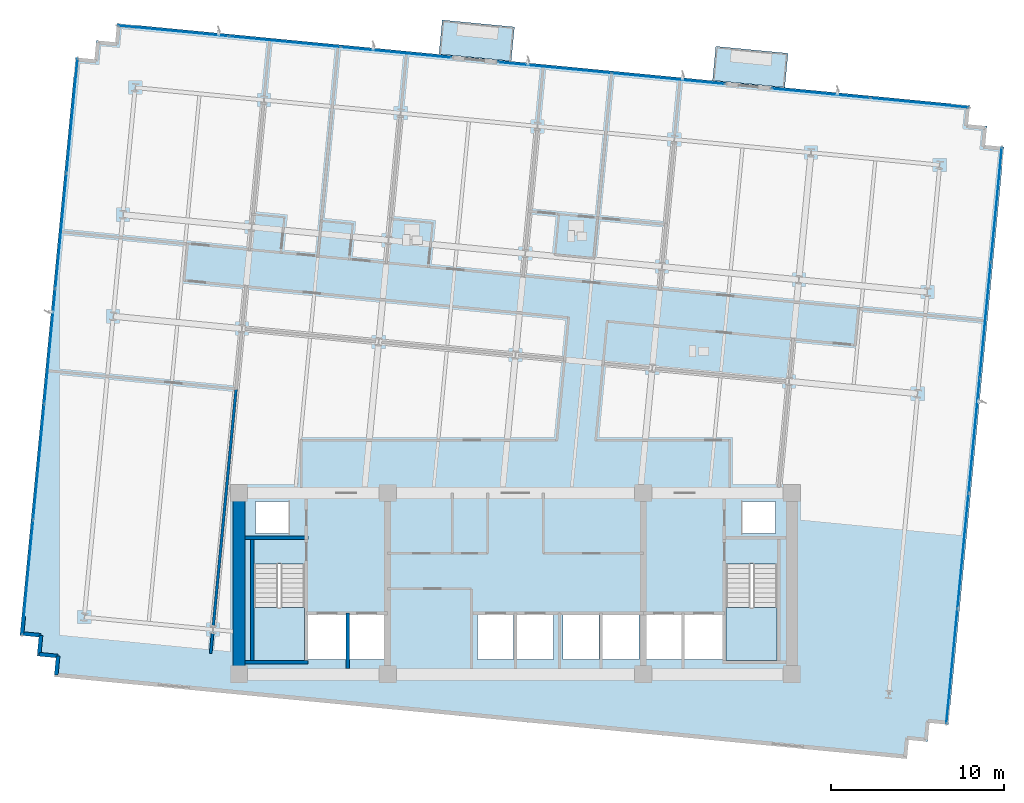
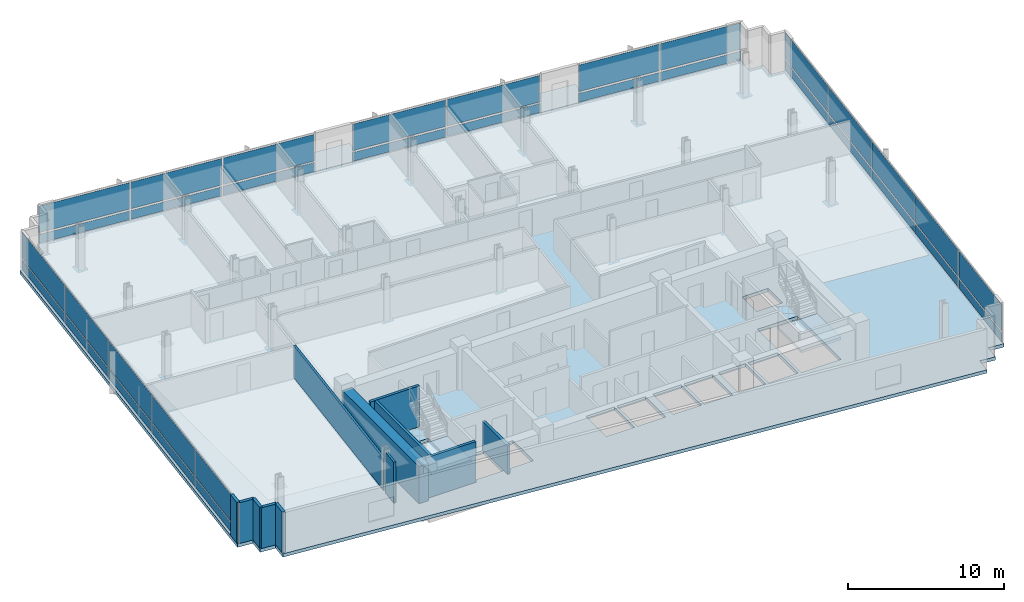
# One storey, part 9 of 17: 34 plates, 12 walls, 5 slabs, 7 elements without a shape of their own.
"""IFC4 building model written with IfcOpenShell, lengths in metres."""

from ifc_helpers import new_model, si_unit, direction, frame, frame_2d, origin, origin_2d, place, context, subcontext, project, spatial, polyline, rectangle, outline, extrude, material, layer, layer_set, type_object, element, aggregate, save


model = new_model("IFC4")

# Units and contexts
model_context = context("Model", 3, precision=1e-05, world=origin(), true_north=direction((0.0, 1.0)))
body_context = subcontext(model_context, "Body", "Model", "MODEL_VIEW")
ifc_project = project(units=[si_unit("LENGTHUNIT", "METRE"), si_unit("AREAUNIT", "SQUARE_METRE"), si_unit("VOLUMEUNIT", "CUBIC_METRE"), si_unit("PLANEANGLEUNIT", "RADIAN"), si_unit("MASSUNIT", "GRAM", prefix="KILO")], contexts=[model_context])

# Site, building, storey
site_placement = place(None, origin())
site = spatial("IfcSite", under=ifc_project, at=site_placement, CompositionType="ELEMENT")
building_placement = place(site_placement, origin())
building = spatial("IfcBuilding", under=site, at=building_placement, Name="Solmavex Isthmus Hotel", CompositionType="ELEMENT")
storey_placement = place(building_placement, frame((0.0, 0.0, 156.60009765625)))
storey = spatial("IfcBuildingStorey", under=building, at=storey_placement, Name="L42", CompositionType="ELEMENT", Elevation=156.60009765625)

# Curtain wall, plates
ifc_material_1 = material(Name="Aluminium alloy 6063-T6", Category="aluminium")
curtain_wall_type = type_object("IfcCurtainWallType", Name="CW-SYS-03", PredefinedType="NOTDEFINED", material=ifc_material_1)
curtain_wall_1_placement = place(storey_placement, origin())
curtain_wall_1 = element("IfcCurtainWall", 1, at=curtain_wall_1_placement, inside=storey, type_object=curtain_wall_type, Name="Stick Curtain Wall CWL-L42-N1", PredefinedType="NOTDEFINED")
ifc_material_2 = material(Name="Clear low-E laminated glass", Category="glass")
ifc_layer_1 = layer(ifc_material_2, 0.030029296875)
ifc_layer_set_1 = layer_set([ifc_layer_1], Name="Clear low-E laminated glass")
plate_type = type_object("IfcPlateType", Name="CW-SYS-03-PNL", PredefinedType="CURTAIN_PANEL", material=ifc_layer_set_1)
plate_1_placement = place(storey_placement, frame((-19.820068359375, 24.256591796875, 0.139892578125), z_axis=(0.0, 0.0, 1.0), x_axis=(0.995396204731, -0.095845686434, 0.0)))
plate_1 = element("IfcPlate", 2, at=plate_1_placement, type_object=plate_type, Name="CW-03 panel 1.1", PredefinedType="CURTAIN_PANEL", context=body_context, shape_type="SweptSolid", body=[
    extrude(rectangle(XDim=6.40234375, YDim=0.030029296875, at=origin_2d()), origin(), (0.0, 0.0, 1.0), 0.68994140625),
])
plate_2_placement = place(storey_placement, frame((-19.820068359375, 24.256591796875, 0.969970703125), z_axis=(0.0, 0.0, 1.0), x_axis=(0.995396204731, -0.095845686434, 0.0)))
plate_2 = element("IfcPlate", 3, at=plate_2_placement, type_object=plate_type, Name="CW-03 panel 1.2", PredefinedType="CURTAIN_PANEL", context=body_context, shape_type="SweptSolid", body=[
    extrude(rectangle(XDim=6.40234375, YDim=0.030029296875, at=origin_2d()), origin(), (0.0, 0.0, 1.0), 2.080078125),
])
plate_3_placement = place(storey_placement, frame((-13.360107421875, 23.634521484375, 0.139892578125), z_axis=(0.0, 0.0, 1.0), x_axis=(0.995396204731, -0.095845686434, 0.0)))
plate_3 = element("IfcPlate", 4, at=plate_3_placement, type_object=plate_type, Name="CW-03 panel 2.1", PredefinedType="CURTAIN_PANEL", context=body_context, shape_type="SweptSolid", body=[
    extrude(rectangle(XDim=6.437255859375, YDim=0.030029296875, at=origin_2d()), origin(), (0.0, 0.0, 1.0), 0.68994140625),
])
plate_4_placement = place(storey_placement, frame((-13.360107421875, 23.634521484375, 0.969970703125), z_axis=(0.0, 0.0, 1.0), x_axis=(0.995396204731, -0.095845686434, 0.0)))
plate_4 = element("IfcPlate", 5, at=plate_4_placement, type_object=plate_type, Name="CW-03 panel 2.2", PredefinedType="CURTAIN_PANEL", context=body_context, shape_type="SweptSolid", body=[
    extrude(rectangle(XDim=6.437255859375, YDim=0.030029296875, at=origin_2d()), origin(), (0.0, 0.0, 1.0), 2.080078125),
])
plate_5_placement = place(storey_placement, frame((-6.900146484375, 23.012451171875, 0.139892578125), z_axis=(0.0, 0.0, 1.0), x_axis=(0.995396204731, -0.095845686434, 0.0)))
plate_5 = element("IfcPlate", 6, at=plate_5_placement, type_object=plate_type, Name="CW-03 panel 3.1", PredefinedType="CURTAIN_PANEL", context=body_context, shape_type="SweptSolid", body=[
    extrude(rectangle(XDim=6.40234375, YDim=0.030029296875, at=origin_2d()), origin(), (0.0, 0.0, 1.0), 0.68994140625),
])
plate_6_placement = place(storey_placement, frame((-6.900146484375, 23.012451171875, 0.969970703125), z_axis=(0.0, 0.0, 1.0), x_axis=(0.995396204731, -0.095845686434, 0.0)))
plate_6 = element("IfcPlate", 7, at=plate_6_placement, type_object=plate_type, Name="CW-03 panel 3.2", PredefinedType="CURTAIN_PANEL", context=body_context, shape_type="SweptSolid", body=[
    extrude(rectangle(XDim=6.40234375, YDim=0.030029296875, at=origin_2d()), origin(), (0.0, 0.0, 1.0), 2.080078125),
])
aggregate(curtain_wall_1, [plate_1, plate_2, plate_3, plate_4, plate_5, plate_6])

curtain_wall_2_placement = place(storey_placement, origin())
curtain_wall_2 = element("IfcCurtainWall", 8, at=curtain_wall_2_placement, inside=storey, type_object=curtain_wall_type, Name="Stick Curtain Wall CWL-L42-N2", PredefinedType="NOTDEFINED")
plate_7_placement = place(storey_placement, frame((2.27392578125, 22.129150390625, 0.139892578125), z_axis=(0.0, 0.0, 1.0), x_axis=(0.995396257521, -0.095845138178, 0.0)))
plate_7 = element("IfcPlate", 9, at=plate_7_placement, type_object=plate_type, Name="CW-03 panel 1.1", PredefinedType="CURTAIN_PANEL", context=body_context, shape_type="SweptSolid", body=[
    extrude(rectangle(XDim=6.551025390625, YDim=0.030029296875, at=origin_2d()), origin(), (0.0, 0.0, 1.0), 0.68994140625),
])
plate_8_placement = place(storey_placement, frame((2.27392578125, 22.129150390625, 0.969970703125), z_axis=(0.0, 0.0, 1.0), x_axis=(0.995396257521, -0.095845138178, 0.0)))
plate_8 = element("IfcPlate", 10, at=plate_8_placement, type_object=plate_type, Name="CW-03 panel 1.2", PredefinedType="CURTAIN_PANEL", context=body_context, shape_type="SweptSolid", body=[
    extrude(rectangle(XDim=6.551025390625, YDim=0.030029296875, at=origin_2d()), origin(), (0.0, 0.0, 1.0), 2.080078125),
])
plate_9_placement = place(storey_placement, frame((8.864501953125, 21.49462890625, 0.139892578125), z_axis=(0.0, 0.0, 1.0), x_axis=(0.995396257521, -0.095845138178, 0.0)))
plate_9 = element("IfcPlate", 11, at=plate_9_placement, type_object=plate_type, Name="CW-03 panel 2.1", PredefinedType="CURTAIN_PANEL", context=body_context, shape_type="SweptSolid", body=[
    extrude(rectangle(XDim=6.551025390625, YDim=0.030029296875, at=origin_2d()), origin(), (0.0, 0.0, 1.0), 0.68994140625),
])
plate_10_placement = place(storey_placement, frame((8.864501953125, 21.49462890625, 0.969970703125), z_axis=(0.0, 0.0, 1.0), x_axis=(0.995396257521, -0.095845138178, 0.0)))
plate_10 = element("IfcPlate", 12, at=plate_10_placement, type_object=plate_type, Name="CW-03 panel 2.2", PredefinedType="CURTAIN_PANEL", context=body_context, shape_type="SweptSolid", body=[
    extrude(rectangle(XDim=6.551025390625, YDim=0.030029296875, at=origin_2d()), origin(), (0.0, 0.0, 1.0), 2.080078125),
])
aggregate(curtain_wall_2, [plate_7, plate_8, plate_9, plate_10])

curtain_wall_3_placement = place(storey_placement, origin())
curtain_wall_3 = element("IfcCurtainWall", 13, at=curtain_wall_3_placement, inside=storey, type_object=curtain_wall_type, Name="Stick Curtain Wall CWL-L42-N3", PredefinedType="NOTDEFINED")
plate_11_placement = place(storey_placement, frame((17.67822265625, 20.645751953125, 0.139892578125), z_axis=(0.0, 0.0, 1.0), x_axis=(0.995396212717, -0.095845603495, 0.0)))
plate_11 = element("IfcPlate", 14, at=plate_11_placement, type_object=plate_type, Name="CW-03 panel 1.1", PredefinedType="CURTAIN_PANEL", context=body_context, shape_type="SweptSolid", body=[
    extrude(rectangle(XDim=5.677978515625, YDim=0.030029296875, at=origin_2d()), origin(), (0.0, 0.0, 1.0), 0.68994140625),
])
plate_12_placement = place(storey_placement, frame((17.67822265625, 20.645751953125, 0.969970703125), z_axis=(0.0, 0.0, 1.0), x_axis=(0.995396212717, -0.095845603495, 0.0)))
plate_12 = element("IfcPlate", 15, at=plate_12_placement, type_object=plate_type, Name="CW-03 panel 1.2", PredefinedType="CURTAIN_PANEL", context=body_context, shape_type="SweptSolid", body=[
    extrude(rectangle(XDim=5.677978515625, YDim=0.030029296875, at=origin_2d()), origin(), (0.0, 0.0, 1.0), 2.080078125),
])
plate_13_placement = place(storey_placement, frame((23.39990234375, 20.094970703125, 0.139892578125), z_axis=(0.0, 0.0, 1.0), x_axis=(0.995396212717, -0.095845603495, 0.0)))
plate_13 = element("IfcPlate", 16, at=plate_13_placement, type_object=plate_type, Name="CW-03 panel 2.1", PredefinedType="CURTAIN_PANEL", context=body_context, shape_type="SweptSolid", body=[
    extrude(rectangle(XDim=5.677978515625, YDim=0.030029296875, at=origin_2d()), origin(), (0.0, 0.0, 1.0), 0.68994140625),
])
plate_14_placement = place(storey_placement, frame((23.39990234375, 20.094970703125, 0.969970703125), z_axis=(0.0, 0.0, 1.0), x_axis=(0.995396212717, -0.095845603495, 0.0)))
plate_14 = element("IfcPlate", 17, at=plate_14_placement, type_object=plate_type, Name="CW-03 panel 2.2", PredefinedType="CURTAIN_PANEL", context=body_context, shape_type="SweptSolid", body=[
    extrude(rectangle(XDim=5.677978515625, YDim=0.030029296875, at=origin_2d()), origin(), (0.0, 0.0, 1.0), 2.080078125),
])
aggregate(curtain_wall_3, [plate_11, plate_12, plate_13, plate_14])

curtain_wall_4_placement = place(storey_placement, origin())
curtain_wall_4 = element("IfcCurtainWall", 18, at=curtain_wall_4_placement, inside=storey, type_object=curtain_wall_type, Name="Stick Curtain Wall CWL-L42-W1", PredefinedType="NOTDEFINED")
plate_15_placement = place(storey_placement, frame((-28.24267578125, -7.38427734375, 0.139892578125), z_axis=(0.0, 0.0, 1.0), x_axis=(0.09584583902, 0.995396190038, 0.0)))
plate_15 = element("IfcPlate", 19, at=plate_15_placement, type_object=plate_type, Name="CW-03 panel 1.1", PredefinedType="CURTAIN_PANEL", context=body_context, shape_type="SweptSolid", body=[
    extrude(rectangle(XDim=6.614990234375, YDim=0.030029296875, at=origin_2d()), origin(), (0.0, 0.0, 1.0), 0.68994140625),
])
plate_16_placement = place(storey_placement, frame((-28.24267578125, -7.38427734375, 0.969970703125), z_axis=(0.0, 0.0, 1.0), x_axis=(0.09584583902, 0.995396190038, 0.0)))
plate_16 = element("IfcPlate", 20, at=plate_16_placement, type_object=plate_type, Name="CW-03 panel 1.2", PredefinedType="CURTAIN_PANEL", context=body_context, shape_type="SweptSolid", body=[
    extrude(rectangle(XDim=6.614990234375, YDim=0.030029296875, at=origin_2d()), origin(), (0.0, 0.0, 1.0), 2.080078125),
])
plate_17_placement = place(storey_placement, frame((-27.600341796875, -0.712646484375, 0.139892578125), z_axis=(0.0, 0.0, 1.0), x_axis=(0.09584583902, 0.995396190038, 0.0)))
plate_17 = element("IfcPlate", 21, at=plate_17_placement, type_object=plate_type, Name="CW-03 panel 2.1", PredefinedType="CURTAIN_PANEL", context=body_context, shape_type="SweptSolid", body=[
    extrude(rectangle(XDim=6.64990234375, YDim=0.030029296875, at=origin_2d()), origin(), (0.0, 0.0, 1.0), 0.68994140625),
])
plate_18_placement = place(storey_placement, frame((-27.600341796875, -0.712646484375, 0.969970703125), z_axis=(0.0, 0.0, 1.0), x_axis=(0.09584583902, 0.995396190038, 0.0)))
plate_18 = element("IfcPlate", 22, at=plate_18_placement, type_object=plate_type, Name="CW-03 panel 2.2", PredefinedType="CURTAIN_PANEL", context=body_context, shape_type="SweptSolid", body=[
    extrude(rectangle(XDim=6.64990234375, YDim=0.030029296875, at=origin_2d()), origin(), (0.0, 0.0, 1.0), 2.080078125),
])
plate_19_placement = place(storey_placement, frame((-26.956298828125, 5.976318359375, 0.139892578125), z_axis=(0.0, 0.0, 1.0), x_axis=(0.09584583902, 0.995396190038, 0.0)))
plate_19 = element("IfcPlate", 23, at=plate_19_placement, type_object=plate_type, Name="CW-03 panel 3.1", PredefinedType="CURTAIN_PANEL", context=body_context, shape_type="SweptSolid", body=[
    extrude(rectangle(XDim=6.64990234375, YDim=0.030029296875, at=origin_2d()), origin(), (0.0, 0.0, 1.0), 0.68994140625),
])
plate_20_placement = place(storey_placement, frame((-26.956298828125, 5.976318359375, 0.969970703125), z_axis=(0.0, 0.0, 1.0), x_axis=(0.09584583902, 0.995396190038, 0.0)))
plate_20 = element("IfcPlate", 24, at=plate_20_placement, type_object=plate_type, Name="CW-03 panel 3.2", PredefinedType="CURTAIN_PANEL", context=body_context, shape_type="SweptSolid", body=[
    extrude(rectangle(XDim=6.64990234375, YDim=0.030029296875, at=origin_2d()), origin(), (0.0, 0.0, 1.0), 2.080078125),
])
plate_21_placement = place(storey_placement, frame((-26.312255859375, 12.665283203125, 0.139892578125), z_axis=(0.0, 0.0, 1.0), x_axis=(0.09584583902, 0.995396190038, 0.0)))
plate_21 = element("IfcPlate", 25, at=plate_21_placement, type_object=plate_type, Name="CW-03 panel 4.1", PredefinedType="CURTAIN_PANEL", context=body_context, shape_type="SweptSolid", body=[
    extrude(rectangle(XDim=6.64990234375, YDim=0.030029296875, at=origin_2d()), origin(), (0.0, 0.0, 1.0), 0.68994140625),
])
plate_22_placement = place(storey_placement, frame((-26.312255859375, 12.665283203125, 0.969970703125), z_axis=(0.0, 0.0, 1.0), x_axis=(0.09584583902, 0.995396190038, 0.0)))
plate_22 = element("IfcPlate", 26, at=plate_22_placement, type_object=plate_type, Name="CW-03 panel 4.2", PredefinedType="CURTAIN_PANEL", context=body_context, shape_type="SweptSolid", body=[
    extrude(rectangle(XDim=6.64990234375, YDim=0.030029296875, at=origin_2d()), origin(), (0.0, 0.0, 1.0), 2.080078125),
])
plate_23_placement = place(storey_placement, frame((-25.669677734375, 19.337158203125, 0.139892578125), z_axis=(0.0, 0.0, 1.0), x_axis=(0.09584583902, 0.995396190038, 0.0)))
plate_23 = element("IfcPlate", 27, at=plate_23_placement, type_object=plate_type, Name="CW-03 panel 5.1", PredefinedType="CURTAIN_PANEL", context=body_context, shape_type="SweptSolid", body=[
    extrude(rectangle(XDim=6.614990234375, YDim=0.030029296875, at=origin_2d()), origin(), (0.0, 0.0, 1.0), 0.68994140625),
])
plate_24_placement = place(storey_placement, frame((-25.669677734375, 19.337158203125, 0.969970703125), z_axis=(0.0, 0.0, 1.0), x_axis=(0.09584583902, 0.995396190038, 0.0)))
plate_24 = element("IfcPlate", 28, at=plate_24_placement, type_object=plate_type, Name="CW-03 panel 5.2", PredefinedType="CURTAIN_PANEL", context=body_context, shape_type="SweptSolid", body=[
    extrude(rectangle(XDim=6.614990234375, YDim=0.030029296875, at=origin_2d()), origin(), (0.0, 0.0, 1.0), 2.080078125),
])
aggregate(curtain_wall_4, [plate_15, plate_16, plate_17, plate_18, plate_19, plate_20, plate_21, plate_22, plate_23, plate_24])

curtain_wall_5_placement = place(storey_placement, origin())
curtain_wall_5 = element("IfcCurtainWall", 29, at=curtain_wall_5_placement, inside=storey, type_object=curtain_wall_type, Name="Stick Curtain Wall CWL-L42-E1", PredefinedType="NOTDEFINED")
plate_25_placement = place(storey_placement, frame((25.269775390625, -12.537109375, 0.139892578125), z_axis=(0.0, 0.0, 1.0), x_axis=(0.09584583902, 0.995396190038, 0.0)))
plate_25 = element("IfcPlate", 30, at=plate_25_placement, type_object=plate_type, Name="CW-03 panel 1.1", PredefinedType="CURTAIN_PANEL", context=body_context, shape_type="SweptSolid", body=[
    extrude(rectangle(XDim=6.614990234375, YDim=0.030029296875, at=origin_2d()), origin(), (0.0, 0.0, 1.0), 0.68994140625),
])
plate_26_placement = place(storey_placement, frame((25.269775390625, -12.537109375, 0.969970703125), z_axis=(0.0, 0.0, 1.0), x_axis=(0.09584583902, 0.995396190038, 0.0)))
plate_26 = element("IfcPlate", 31, at=plate_26_placement, type_object=plate_type, Name="CW-03 panel 1.2", PredefinedType="CURTAIN_PANEL", context=body_context, shape_type="SweptSolid", body=[
    extrude(rectangle(XDim=6.614990234375, YDim=0.030029296875, at=origin_2d()), origin(), (0.0, 0.0, 1.0), 2.080078125),
])
plate_27_placement = place(storey_placement, frame((25.912109375, -5.865478515625, 0.139892578125), z_axis=(0.0, 0.0, 1.0), x_axis=(0.09584583902, 0.995396190038, 0.0)))
plate_27 = element("IfcPlate", 32, at=plate_27_placement, type_object=plate_type, Name="CW-03 panel 2.1", PredefinedType="CURTAIN_PANEL", context=body_context, shape_type="SweptSolid", body=[
    extrude(rectangle(XDim=6.64990234375, YDim=0.030029296875, at=origin_2d()), origin(), (0.0, 0.0, 1.0), 0.68994140625),
])
plate_28_placement = place(storey_placement, frame((25.912109375, -5.865478515625, 0.969970703125), z_axis=(0.0, 0.0, 1.0), x_axis=(0.09584583902, 0.995396190038, 0.0)))
plate_28 = element("IfcPlate", 33, at=plate_28_placement, type_object=plate_type, Name="CW-03 panel 2.2", PredefinedType="CURTAIN_PANEL", context=body_context, shape_type="SweptSolid", body=[
    extrude(rectangle(XDim=6.64990234375, YDim=0.030029296875, at=origin_2d()), origin(), (0.0, 0.0, 1.0), 2.080078125),
])
plate_29_placement = place(storey_placement, frame((26.55615234375, 0.82373046875, 0.139892578125), z_axis=(0.0, 0.0, 1.0), x_axis=(0.09584583902, 0.995396190038, 0.0)))
plate_29 = element("IfcPlate", 34, at=plate_29_placement, type_object=plate_type, Name="CW-03 panel 3.1", PredefinedType="CURTAIN_PANEL", context=body_context, shape_type="SweptSolid", body=[
    extrude(rectangle(XDim=6.64990234375, YDim=0.030029296875, at=origin_2d()), origin(), (0.0, 0.0, 1.0), 0.68994140625),
])
plate_30_placement = place(storey_placement, frame((26.55615234375, 0.82373046875, 0.969970703125), z_axis=(0.0, 0.0, 1.0), x_axis=(0.09584583902, 0.995396190038, 0.0)))
plate_30 = element("IfcPlate", 35, at=plate_30_placement, type_object=plate_type, Name="CW-03 panel 3.2", PredefinedType="CURTAIN_PANEL", context=body_context, shape_type="SweptSolid", body=[
    extrude(rectangle(XDim=6.64990234375, YDim=0.030029296875, at=origin_2d()), origin(), (0.0, 0.0, 1.0), 2.080078125),
])
plate_31_placement = place(storey_placement, frame((27.200439453125, 7.5126953125, 0.139892578125), z_axis=(0.0, 0.0, 1.0), x_axis=(0.09584583902, 0.995396190038, 0.0)))
plate_31 = element("IfcPlate", 36, at=plate_31_placement, type_object=plate_type, Name="CW-03 panel 4.1", PredefinedType="CURTAIN_PANEL", context=body_context, shape_type="SweptSolid", body=[
    extrude(rectangle(XDim=6.64990234375, YDim=0.030029296875, at=origin_2d()), origin(), (0.0, 0.0, 1.0), 0.68994140625),
])
plate_32_placement = place(storey_placement, frame((27.200439453125, 7.5126953125, 0.969970703125), z_axis=(0.0, 0.0, 1.0), x_axis=(0.09584583902, 0.995396190038, 0.0)))
plate_32 = element("IfcPlate", 37, at=plate_32_placement, type_object=plate_type, Name="CW-03 panel 4.2", PredefinedType="CURTAIN_PANEL", context=body_context, shape_type="SweptSolid", body=[
    extrude(rectangle(XDim=6.64990234375, YDim=0.030029296875, at=origin_2d()), origin(), (0.0, 0.0, 1.0), 2.080078125),
])
plate_33_placement = place(storey_placement, frame((27.8427734375, 14.184326171875, 0.139892578125), z_axis=(0.0, 0.0, 1.0), x_axis=(0.09584583902, 0.995396190038, 0.0)))
plate_33 = element("IfcPlate", 38, at=plate_33_placement, type_object=plate_type, Name="CW-03 panel 5.1", PredefinedType="CURTAIN_PANEL", context=body_context, shape_type="SweptSolid", body=[
    extrude(rectangle(XDim=6.614990234375, YDim=0.030029296875, at=origin_2d()), origin(), (0.0, 0.0, 1.0), 0.68994140625),
])
plate_34_placement = place(storey_placement, frame((27.8427734375, 14.184326171875, 0.969970703125), z_axis=(0.0, 0.0, 1.0), x_axis=(0.09584583902, 0.995396190038, 0.0)))
plate_34 = element("IfcPlate", 39, at=plate_34_placement, type_object=plate_type, Name="CW-03 panel 5.2", PredefinedType="CURTAIN_PANEL", context=body_context, shape_type="SweptSolid", body=[
    extrude(rectangle(XDim=6.614990234375, YDim=0.030029296875, at=origin_2d()), origin(), (0.0, 0.0, 1.0), 2.080078125),
])
aggregate(curtain_wall_5, [plate_25, plate_26, plate_27, plate_28, plate_29, plate_30, plate_31, plate_32, plate_33, plate_34])

# Slabs
ifc_material_3 = material(Name="Concrete C40/50", Category="concrete")
ifc_layer_2 = layer(ifc_material_3, 0.239990234375)
ifc_layer_set_2 = layer_set([ifc_layer_2], Name="Concrete C40/50")
slab_type_1 = type_object("IfcSlabType", Name="SLAB-BALC-240", PredefinedType="FLOOR", material=ifc_layer_set_2)
slab_1_placement = place(storey_placement, frame((0.0, 0.0, -0.239990234375)))
element("IfcSlab", 40, at=slab_1_placement, inside=storey, type_object=slab_type_1, Name="Tree-Planter Balcony Slab L42-B1", PredefinedType="FLOOR", context=body_context, shape_type="SweptSolid", body=[
    extrude(outline(polyline([(-4.427490234375, 22.909912109375), (-0.246826171875, 22.507568359375), (-0.056640625, 24.4833984375), (-4.2373046875, 24.885986328125), (-4.427490234375, 22.909912109375)])), origin(), (0.0, 0.0, 1.0), 0.239990234375),
])
slab_2_placement = place(storey_placement, frame((0.0, 0.0, -0.239990234375)))
element("IfcSlab", 41, at=slab_2_placement, inside=storey, type_object=slab_type_1, Name="Tree-Planter Balcony Slab L42-B2", PredefinedType="FLOOR", context=body_context, shape_type="SweptSolid", body=[
    extrude(outline(polyline([(11.4111328125, 21.385009765625), (15.591796875, 20.982421875), (15.7822265625, 22.958251953125), (11.6015625, 23.36083984375), (11.4111328125, 21.385009765625)])), origin(), (0.0, 0.0, 1.0), 0.239990234375),
])
ifc_layer_3 = layer(ifc_material_3, 0.260009765625)
ifc_layer_set_3 = layer_set([ifc_layer_3], Name="Concrete C40/50")
slab_type_2 = type_object("IfcSlabType", Name="SLAB-TYP-260", PredefinedType="FLOOR", material=ifc_layer_set_3)
slab_3_placement = place(storey_placement, frame((0.0, 0.0, -0.260009765625)))
element("IfcSlab", 42, at=slab_3_placement, inside=storey, type_object=slab_type_2, Name="Tower Structural Floor Slab L42", PredefinedType="FLOOR", context=body_context, shape_type="SweptSolid", body=[
    extrude(outline(polyline([(-25.612060546875, -13.240966796875), (21.56982421875, -17.7841796875), (22.664794921875, -17.889404296875), (22.770263671875, -16.794677734375), (23.865234375, -16.89990234375), (23.970458984375, -15.80517578125), (25.0654296875, -15.910400390625), (25.1708984375, -14.815673828125), (28.180419921875, 16.43994140625), (28.285888671875, 17.534912109375), (27.19091796875, 17.64013671875), (27.29638671875, 18.735107421875), (26.201416015625, 18.840576171875), (26.306884765625, 19.935546875), (25.2119140625, 20.041015625), (-21.9697265625, 24.583984375), (-23.064697265625, 24.689453125), (-23.170166015625, 23.594482421875), (-24.26513671875, 23.699951171875), (-24.37060546875, 22.60498046875), (-25.465576171875, 22.71044921875), (-25.57080078125, 21.615478515625), (-28.58056640625, -9.639892578125), (-28.685791015625, -10.73486328125), (-27.591064453125, -10.84033203125), (-27.6962890625, -11.935302734375), (-26.6015625, -12.04052734375), (-26.706787109375, -13.135498046875), (-25.612060546875, -13.240966796875)]), holes=[polyline([(-15.14990234375, -6.617919921875), (-15.14990234375, -12.199951171875), (-12.199951171875, -12.199951171875), (-12.199951171875, -6.617919921875), (-15.14990234375, -6.617919921875)]), polyline([(12.199951171875, -6.617919921875), (12.199951171875, -12.199951171875), (15.14990234375, -12.199951171875), (15.14990234375, -6.617919921875), (12.199951171875, -6.617919921875)]), polyline([(-12.0, -12.14990234375), (-9.800048828125, -12.14990234375), (-9.800048828125, -9.550048828125), (-12.0, -9.550048828125), (-12.0, -12.14990234375)]), polyline([(9.800048828125, -12.14990234375), (12.0, -12.14990234375), (12.0, -9.550048828125), (9.800048828125, -9.550048828125), (9.800048828125, -12.14990234375)]), polyline([(-9.60009765625, -12.14990234375), (-7.60009765625, -12.14990234375), (-7.60009765625, -9.550048828125), (-9.60009765625, -9.550048828125), (-9.60009765625, -12.14990234375)]), polyline([(7.60009765625, -12.14990234375), (9.60009765625, -12.14990234375), (9.60009765625, -9.550048828125), (7.60009765625, -9.550048828125), (7.60009765625, -12.14990234375)]), polyline([(-2.199951171875, -12.14990234375), (-0.10009765625, -12.14990234375), (-0.10009765625, -9.550048828125), (-2.199951171875, -9.550048828125), (-2.199951171875, -12.14990234375)]), polyline([(0.10009765625, -12.14990234375), (2.199951171875, -12.14990234375), (2.199951171875, -9.550048828125), (0.10009765625, -9.550048828125), (0.10009765625, -12.14990234375)]), polyline([(2.75, -12.14990234375), (4.85009765625, -12.14990234375), (4.85009765625, -9.550048828125), (2.75, -9.550048828125), (2.75, -12.14990234375)]), polyline([(5.050048828125, -12.14990234375), (7.14990234375, -12.14990234375), (7.14990234375, -9.550048828125), (5.050048828125, -9.550048828125), (5.050048828125, -12.14990234375)]), polyline([(-15.050048828125, -4.85009765625), (-13.14990234375, -4.85009765625), (-13.14990234375, -3.0), (-15.050048828125, -3.0), (-15.050048828125, -4.85009765625)]), polyline([(13.14990234375, -4.85009765625), (15.050048828125, -4.85009765625), (15.050048828125, -3.0), (13.14990234375, -3.0), (13.14990234375, -4.85009765625)])]), origin(), (0.0, 0.0, 1.0), 0.260009765625),
])

# Stair, slab
stair_type_1 = type_object("IfcStairType", Name="STR-ST-1", PredefinedType="HALF_TURN_STAIR", material=ifc_material_3)
stair_1_placement = place(storey_placement, origin())
stair_1 = element("IfcStair", 43, at=stair_1_placement, inside=storey, type_object=stair_type_1, Name="L42 Protected Exit Stair ST-1", PredefinedType="HALF_TURN_STAIR")
ifc_layer_4 = layer(ifc_material_3, 0.219970703125)
ifc_layer_set_4 = layer_set([ifc_layer_4], Name="Concrete C40/50")
slab_type_3 = type_object("IfcSlabType", Name="SLD-ST-1", PredefinedType="LANDING", material=ifc_layer_set_4)
slab_4_placement = place(storey_placement, frame((0.0, 0.0, 1.52490234375)))
slab_4 = element("IfcSlab", 44, at=slab_4_placement, type_object=slab_type_3, Name="ST-1 landing 1", PredefinedType="LANDING", context=body_context, shape_type="SweptSolid", body=[
    extrude(outline(polyline([(-15.14990234375, -9.1201171875), (-15.14990234375, -12.199951171875), (-12.199951171875, -12.199951171875), (-12.199951171875, -9.1201171875), (-15.14990234375, -9.1201171875)])), origin(), (0.0, 0.0, 1.0), 0.199951171875),
])
aggregate(stair_1, [slab_4])

stair_type_2 = type_object("IfcStairType", Name="STR-ST-2", PredefinedType="HALF_TURN_STAIR", material=ifc_material_3)
stair_2_placement = place(storey_placement, origin())
stair_2 = element("IfcStair", 45, at=stair_2_placement, inside=storey, type_object=stair_type_2, Name="L42 Protected Exit Stair ST-2", PredefinedType="HALF_TURN_STAIR")
ifc_layer_5 = layer(ifc_material_3, 0.219970703125)
ifc_layer_set_5 = layer_set([ifc_layer_5], Name="Concrete C40/50")
slab_type_4 = type_object("IfcSlabType", Name="SLD-ST-2", PredefinedType="LANDING", material=ifc_layer_set_5)
slab_5_placement = place(storey_placement, frame((0.0, 0.0, 1.52490234375)))
slab_5 = element("IfcSlab", 46, at=slab_5_placement, type_object=slab_type_4, Name="ST-2 landing 1", PredefinedType="LANDING", context=body_context, shape_type="SweptSolid", body=[
    extrude(outline(polyline([(12.199951171875, -9.1201171875), (12.199951171875, -12.199951171875), (15.14990234375, -12.199951171875), (15.14990234375, -9.1201171875), (12.199951171875, -9.1201171875)])), origin(), (0.0, 0.0, 1.0), 0.199951171875),
])
aggregate(stair_2, [slab_5])

# Walls
ifc_material_4 = material(Name="Precast Concrete C40/50", Category="concrete")
ifc_layer_6 = layer(ifc_material_4, 0.25)
ifc_layer_set_6 = layer_set([ifc_layer_6], Name="Precast Concrete C40/50")
wall_type_1 = type_object("IfcWallType", Name="EW-TWR-250", PredefinedType="STANDARD", material=ifc_layer_set_6)
for number, where, z_axis, x_axis, name in (
    (47, (-26.5869140625, -13.03662109375, 0.0), (0.0, 0.0, 1.0), (0.095877334176, 0.995393156894, 0.0), "Serrated Corner Facade Panel L42-01"),
    (48, (-26.4814453125, -11.941650390625, 0.0), (0.0, 0.0, 1.0), (-0.995393156894, 0.095877334176, 0.0), "Serrated Corner Facade Panel L42-02"),
    (49, (-27.576416015625, -11.836181640625, 0.0), (0.0, 0.0, 1.0), (0.095877334176, 0.995393156894, 0.0), "Serrated Corner Facade Panel L42-03"),
    (50, (-27.470947265625, -10.7412109375, 0.0), (0.0, 0.0, 1.0), (-0.995414313875, 0.095657429048, 0.0), "Serrated Corner Facade Panel L42-04"),
):
    element("IfcWall", number, at=place(storey_placement, frame(where, z_axis=z_axis, x_axis=x_axis)), inside=storey, type_object=wall_type_1, Name=name, PredefinedType="STANDARD", context=body_context, shape_type="SweptSolid", body=[
        extrude(rectangle(XDim=1.10009765625, YDim=0.219970703125, at=frame_2d((0.550048828125, 0.0))), origin(), (0.0, 0.0, 1.0), 3.18994140625),
    ])
wall_1_placement = place(storey_placement, frame((-28.56591796875, -10.635986328125, 0.0), z_axis=(0.0, 0.0, 1.0), x_axis=(0.095914428506, 0.995389583231, 0.0)))
element("IfcWall", 51, at=wall_1_placement, inside=storey, type_object=wall_type_1, Name="Serrated Corner Facade Panel L42-05", PredefinedType="STANDARD", context=body_context, shape_type="SweptSolid", body=[
    extrude(rectangle(XDim=0.990234375, YDim=0.219970703125, at=frame_2d((0.4951171875, 0.0))), origin(), (0.0, 0.0, 1.0), 3.18994140625),
])
ifc_material_5 = material(Name="Gypsum plasterboard lining", Category="gypsum")
ifc_layer_7 = layer(ifc_material_5, 0.159912109375)
ifc_layer_set_7 = layer_set([ifc_layer_7], Name="Gypsum plasterboard lining")
wall_type_2 = type_object("IfcWallType", Name="IW-COMP-160", PredefinedType="PARTITIONING", material=ifc_layer_set_7)
wall_2_placement = place(storey_placement, frame((-17.64794921875, -11.78759765625, 0.0), z_axis=(0.0, 0.0, 1.0), x_axis=(0.095720070118, 0.995408292198, 0.0)))
element("IfcWall", 52, at=wall_2_placement, inside=storey, type_object=wall_type_2, Name="Interior Partition Wall W-L42-P066", PredefinedType="PARTITIONING", context=body_context, shape_type="SweptSolid", body=[
    extrude(rectangle(XDim=1.214111328125, YDim=0.159912109375, at=frame_2d((0.60693359375, 0.0))), origin(), (0.0, 0.0, 1.0), 3.18994140625),
])
wall_3_placement = place(storey_placement, frame((-17.497802734375, -10.228759765625, 0.0), z_axis=(0.0, 0.0, 1.0), x_axis=(0.095840531094, 0.99539670112, 0.0)))
element("IfcWall", 53, at=wall_3_placement, inside=storey, type_object=wall_type_2, Name="Interior Partition Wall W-L42-P067", PredefinedType="PARTITIONING", context=body_context, shape_type="SweptSolid", body=[
    extrude(rectangle(XDim=13.906005859375, YDim=0.159912109375, at=frame_2d((6.953125, 0.0))), origin(), (0.0, 0.0, 1.0), 2.4794921875),
])
ifc_layer_8 = layer(ifc_material_3, 0.199951171875)
ifc_layer_set_8 = layer_set([ifc_layer_8], Name="Concrete C40/50")
wall_type_3 = type_object("IfcWallType", Name="IW-SHAFT-200", PredefinedType="PARTITIONING", material=ifc_layer_set_8)
wall_4_placement = place(storey_placement, frame((-9.699951171875, -12.64990234375, 0.0), z_axis=(0.0, 0.0, 1.0), x_axis=(0.0, 1.0, 0.0)))
element("IfcWall", 54, at=wall_4_placement, inside=storey, type_object=wall_type_3, Name="Interior Partition Wall W-L42-FFLW-M", PredefinedType="PARTITIONING", context=body_context, shape_type="SweptSolid", body=[
    extrude(rectangle(XDim=3.199951171875, YDim=0.199951171875, at=frame_2d((1.60009765625, 0.0))), origin(), (0.0, 0.0, 1.0), 2.224853515625),
])
ifc_material_6 = material(Name="Concrete C60/75", Category="concrete")
ifc_layer_9 = layer(ifc_material_6, 0.699951171875)
ifc_layer_set_9 = layer_set([ifc_layer_9], Name="Concrete C60/75")
wall_type_4 = type_object("IfcWallType", Name="WALL-CW-700", PredefinedType="SHEAR", material=ifc_layer_set_9)
wall_5_placement = place(storey_placement, frame((-16.0, -12.64990234375, 0.0), z_axis=(0.0, 0.0, 1.0), x_axis=(0.0, 1.0, 0.0)))
element("IfcWall", 55, at=wall_5_placement, inside=storey, type_object=wall_type_4, Name="Core Shear Wall West L42", PredefinedType="SHEAR", context=body_context, shape_type="SweptSolid", body=[
    extrude(rectangle(XDim=9.7998046875, YDim=0.699951171875, at=frame_2d((4.89990234375, 0.0))), origin(), (0.0, 0.0, 1.0), 2.909912109375),
])
ifc_layer_10 = layer(ifc_material_3, 0.199951171875)
ifc_layer_set_10 = layer_set([ifc_layer_10], Name="Concrete C40/50")
wall_type_5 = type_object("IfcWallType", Name="WALL-SW-200", PredefinedType="SOLIDWALL", material=ifc_layer_set_10)
for number, where, z_axis, x_axis, name in (
    (56, (-15.64990234375, -12.300048828125, 0.0), (0.0, 0.0, 1.0), (1.0, 0.0, 0.0), "Stairwell Structural Wall SW-L42-ST1-S"),
    (57, (-15.64990234375, -5.10009765625, 0.0), (0.0, 0.0, 1.0), (1.0, 0.0, 0.0), "Stairwell Structural Wall SW-L42-ST1-N"),
):
    element("IfcWall", number, at=place(storey_placement, frame(where, z_axis=z_axis, x_axis=x_axis)), inside=storey, type_object=wall_type_5, Name=name, PredefinedType="SOLIDWALL", context=body_context, shape_type="SweptSolid", body=[
        extrude(rectangle(XDim=3.64990234375, YDim=0.199951171875, at=frame_2d((1.824951171875, 0.0))), origin(), (0.0, 0.0, 1.0), 3.18994140625),
    ])
wall_6_placement = place(storey_placement, frame((-15.25, -12.199951171875, 0.0), z_axis=(0.0, 0.0, 1.0), x_axis=(0.0, 1.0, 0.0)))
element("IfcWall", 58, at=wall_6_placement, inside=storey, type_object=wall_type_5, Name="Stairwell Structural Wall SW-L42-ST1-W", PredefinedType="SOLIDWALL", context=body_context, shape_type="SweptSolid", body=[
    extrude(rectangle(XDim=7.0, YDim=0.199951171875, at=frame_2d((3.5, 0.0))), origin(), (0.0, 0.0, 1.0), 3.18994140625),
])

save(model, "model.ifc")
